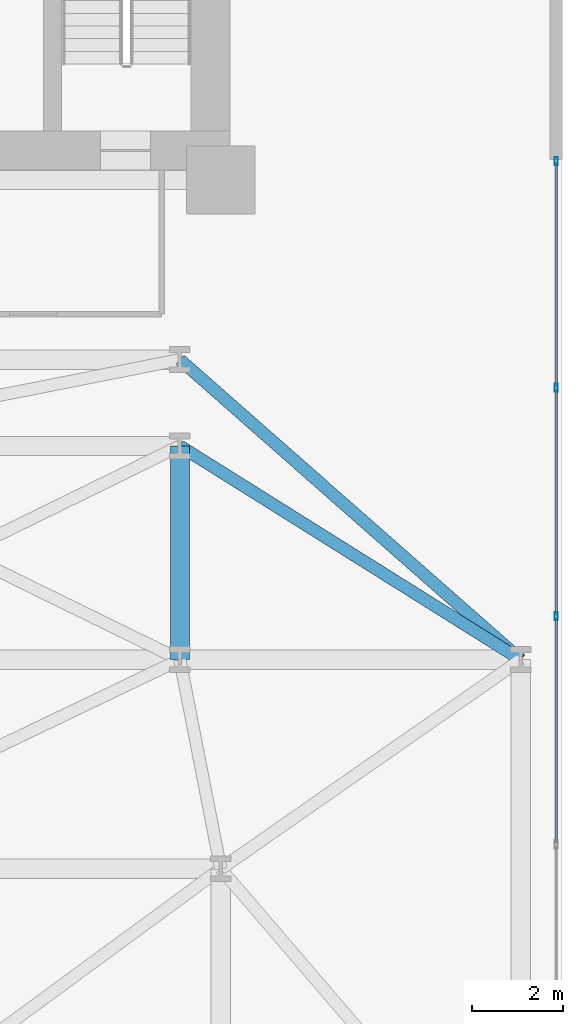
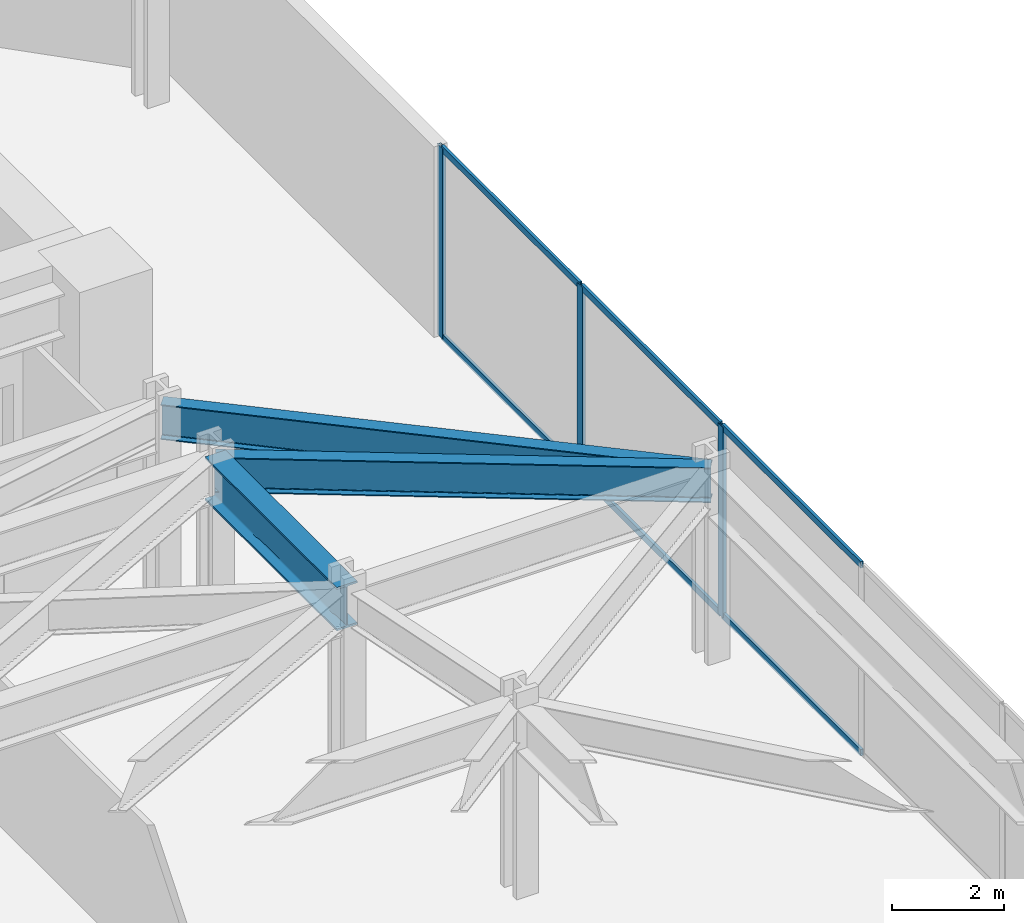
# One storey, part 24 of 30: 9 members, 3 beams, 1 element without a shape of its own.
"""IFC4 building model written with IfcOpenShell, lengths in metres."""

from ifc_helpers import new_model, si_unit, direction, frame, origin, origin_2d, place, context, subcontext, project, spatial, hollow_rectangle, i_section, extrude, material, layer, layer_set, material_profile, profile_set, type_object, element, aggregate, save


model = new_model("IFC4")

# Units and contexts
model_context = context("Model", 3, precision=1e-05, world=origin(), true_north=direction((0.0, 1.0)))
body_context = subcontext(model_context, "Body", "Model", "MODEL_VIEW")
ifc_project = project(units=[si_unit("LENGTHUNIT", "METRE"), si_unit("AREAUNIT", "SQUARE_METRE"), si_unit("VOLUMEUNIT", "CUBIC_METRE"), si_unit("PLANEANGLEUNIT", "RADIAN"), si_unit("MASSUNIT", "GRAM", prefix="KILO")], contexts=[model_context])

# Site, building, storey
site_placement = place(None, origin())
site = spatial("IfcSite", under=ifc_project, at=site_placement, CompositionType="ELEMENT")
building_placement = place(site_placement, origin())
building = spatial("IfcBuilding", under=site, at=building_placement, Name="Kravanh Interchange Tower", CompositionType="ELEMENT")
storey_placement = place(building_placement, frame((0.0, 0.0, 19.800048828125)))
storey = spatial("IfcBuildingStorey", under=building, at=storey_placement, Name="L04", CompositionType="ELEMENT", Elevation=19.800048828125)

# Curtain wall, members
ifc_material_1 = material(Name="Anodised Bronze Aluminium", Category="aluminium")
ifc_layer = layer(ifc_material_1, 0.179931640625)
ifc_layer_set = layer_set([ifc_layer], Name="Unitised Curtain Wall System CW-POD Podium Concourse")
curtain_wall_type = type_object("IfcCurtainWallType", Name="Unitised Curtain Wall System CW-POD Podium Concourse", PredefinedType="NOTDEFINED", material=ifc_layer_set)
curtain_wall_placement = place(storey_placement, origin())
curtain_wall = element("IfcCurtainWall", 1, at=curtain_wall_placement, inside=storey, type_object=curtain_wall_type, Name="L04 Unitised Curtain Wall CW-L04-02", PredefinedType="NOTDEFINED")
ifc_material_2 = material(Name="Anodised Bronze Aluminium", Category="aluminium")
ifc_material_profile_1 = material_profile(ifc_material_2, hollow_rectangle(XDim=0.070068359375, YDim=0.179931640625, WallThickness=0.00390625, at=origin_2d()), Name="ALU70X180X4")
ifc_profile_set_1 = profile_set([ifc_material_profile_1], Name="Anodised Bronze Aluminium")
member_type_1 = type_object("IfcMemberType", Name="Curtain Wall Mullion ALU70X180X4 Bronze", PredefinedType="MULLION", material=ifc_profile_set_1)
member_1_placement = place(storey_placement, frame((73.8798828125, 37.764892578125, 0.0), z_axis=(0.0, 0.0, 1.0), x_axis=(1.0, 0.0, 0.0)))
member_1 = element("IfcMember", 2, at=member_1_placement, type_object=member_type_1, Name="CW-POD mullion 1", PredefinedType="MULLION", context=body_context, shape_type="SweptSolid", body=[
    extrude(hollow_rectangle(XDim=0.070068359375, YDim=0.179931640625, WallThickness=0.00390625, at=origin_2d()), origin(), (0.0, 0.0, 1.0), 4.14990234375),
])
member_2_placement = place(storey_placement, frame((73.8798828125, 32.778564453125, 0.0), z_axis=(0.0, 0.0, 1.0), x_axis=(1.0, 0.0, 0.0)))
member_2 = element("IfcMember", 3, at=member_2_placement, type_object=member_type_1, Name="CW-POD mullion 2", PredefinedType="MULLION", context=body_context, shape_type="SweptSolid", body=[
    extrude(hollow_rectangle(XDim=0.070068359375, YDim=0.179931640625, WallThickness=0.00390625, at=origin_2d()), origin(), (0.0, 0.0, 1.0), 4.14990234375),
])
member_3_placement = place(storey_placement, frame((73.8798828125, 27.757080078125, 0.0), z_axis=(0.0, 0.0, 1.0), x_axis=(1.0, 0.0, 0.0)))
member_3 = element("IfcMember", 4, at=member_3_placement, type_object=member_type_1, Name="CW-POD mullion 3", PredefinedType="MULLION", context=body_context, shape_type="SweptSolid", body=[
    extrude(hollow_rectangle(XDim=0.070068359375, YDim=0.179931640625, WallThickness=0.00390625, at=origin_2d()), origin(), (0.0, 0.0, 1.0), 4.14990234375),
])
ifc_material_3 = material(Name="Anodised Bronze Aluminium", Category="aluminium")
ifc_material_profile_2 = material_profile(ifc_material_3, hollow_rectangle(XDim=0.06005859375, YDim=0.139892578125, WallThickness=0.00390625, at=origin_2d()), Name="ALU60X140X4")
ifc_profile_set_2 = profile_set([ifc_material_profile_2], Name="Anodised Bronze Aluminium")
member_type_2 = type_object("IfcMemberType", Name="Curtain Wall Transom ALU60X140X4 Bronze", PredefinedType="USERDEFINED", material=ifc_profile_set_2)
member_4_placement = place(storey_placement, frame((73.8798828125, 37.72998046875, 0.030029296875), z_axis=(0.0, -1.0, 0.0), x_axis=(1.0, 0.0, 0.0)))
member_4 = element("IfcMember", 5, at=member_4_placement, type_object=member_type_2, Name="CW-POD transom 1.1", ObjectType="TRANSOM", PredefinedType="USERDEFINED", context=body_context, shape_type="SweptSolid", body=[
    extrude(hollow_rectangle(XDim=0.06005859375, YDim=0.139892578125, WallThickness=0.00390625, at=origin_2d()), origin(), (0.0, 0.0, 1.0), 4.91650390625),
])
member_5_placement = place(storey_placement, frame((73.8798828125, 37.72998046875, 4.119873046875), z_axis=(0.0, -1.0, 0.0), x_axis=(1.0, 0.0, 0.0)))
member_5 = element("IfcMember", 6, at=member_5_placement, type_object=member_type_2, Name="CW-POD transom 1.2", ObjectType="TRANSOM", PredefinedType="USERDEFINED", context=body_context, shape_type="SweptSolid", body=[
    extrude(hollow_rectangle(XDim=0.06005859375, YDim=0.139892578125, WallThickness=0.00390625, at=origin_2d()), origin(), (0.0, 0.0, 1.0), 4.91650390625),
])
member_6_placement = place(storey_placement, frame((73.8798828125, 32.743408203125, 0.030029296875), z_axis=(0.0, -1.0, 0.0), x_axis=(1.0, 0.0, 0.0)))
member_6 = element("IfcMember", 7, at=member_6_placement, type_object=member_type_2, Name="CW-POD transom 2.1", ObjectType="TRANSOM", PredefinedType="USERDEFINED", context=body_context, shape_type="SweptSolid", body=[
    extrude(hollow_rectangle(XDim=0.06005859375, YDim=0.139892578125, WallThickness=0.00390625, at=origin_2d()), origin(), (0.0, 0.0, 1.0), 4.951416015625),
])
member_7_placement = place(storey_placement, frame((73.8798828125, 32.743408203125, 4.119873046875), z_axis=(0.0, -1.0, 0.0), x_axis=(1.0, 0.0, 0.0)))
member_7 = element("IfcMember", 8, at=member_7_placement, type_object=member_type_2, Name="CW-POD transom 2.2", ObjectType="TRANSOM", PredefinedType="USERDEFINED", context=body_context, shape_type="SweptSolid", body=[
    extrude(hollow_rectangle(XDim=0.06005859375, YDim=0.139892578125, WallThickness=0.00390625, at=origin_2d()), origin(), (0.0, 0.0, 1.0), 4.951416015625),
])
member_8_placement = place(storey_placement, frame((73.8798828125, 27.72216796875, 0.030029296875), z_axis=(0.0, -1.0, 0.0), x_axis=(1.0, 0.0, 0.0)))
member_8 = element("IfcMember", 9, at=member_8_placement, type_object=member_type_2, Name="CW-POD transom 3.1", ObjectType="TRANSOM", PredefinedType="USERDEFINED", context=body_context, shape_type="SweptSolid", body=[
    extrude(hollow_rectangle(XDim=0.06005859375, YDim=0.139892578125, WallThickness=0.00390625, at=origin_2d()), origin(), (0.0, 0.0, 1.0), 4.95166015625),
])
member_9_placement = place(storey_placement, frame((73.8798828125, 27.72216796875, 4.119873046875), z_axis=(0.0, -1.0, 0.0), x_axis=(1.0, 0.0, 0.0)))
member_9 = element("IfcMember", 10, at=member_9_placement, type_object=member_type_2, Name="CW-POD transom 3.2", ObjectType="TRANSOM", PredefinedType="USERDEFINED", context=body_context, shape_type="SweptSolid", body=[
    extrude(hollow_rectangle(XDim=0.06005859375, YDim=0.139892578125, WallThickness=0.00390625, at=origin_2d()), origin(), (0.0, 0.0, 1.0), 4.95166015625),
])
aggregate(curtain_wall, [member_1, member_2, member_3, member_4, member_5, member_6, member_7, member_8, member_9])

# Beams
ifc_material_4 = material(Name="Structural Steel S450", Category="steel")
ifc_material_profile_3 = material_profile(ifc_material_4, i_section(OverallWidth=0.423095703125, OverallDepth=0.947998046875, WebThickness=0.02392578125, FlangeThickness=0.042724609375, FilletRadius=0.028076171875, at=origin_2d()), Name="W36X302")
ifc_profile_set_3 = profile_set([ifc_material_profile_3], Name="Structural Steel S450")
beam_type_1 = type_object("IfcBeamType", Name="Floor Beam W36X302 Structural Steel S450", PredefinedType="BEAM", material=ifc_profile_set_3)
beam_1_placement = place(storey_placement, frame((65.60009765625, 26.800048828125, 3.676025390625), z_axis=(0.0, 1.0, 0.0), x_axis=(-1.0, 0.0, 0.0)))
element("IfcBeam", 11, at=beam_1_placement, inside=storey, type_object=beam_type_1, Name="L04 Primary Floor Girder 101", PredefinedType="BEAM", context=body_context, shape_type="SweptSolid", body=[
    extrude(i_section(OverallWidth=0.423095703125, OverallDepth=0.947998046875, WebThickness=0.02392578125, FlangeThickness=0.042724609375, FilletRadius=0.028076171875, at=origin_2d()), origin(), (0.0, 0.0, 1.0), 4.699951171875),
])
ifc_material_5 = material(Name="Structural Steel S355", Category="steel")
ifc_material_profile_4 = material_profile(ifc_material_5, i_section(OverallWidth=0.26708984375, OverallDepth=0.761962890625, WebThickness=0.014404296875, FlangeThickness=0.021484375, FilletRadius=0.02490234375, at=origin_2d()), Name="W30X116")
ifc_profile_set_4 = profile_set([ifc_material_profile_4], Name="Structural Steel S355")
beam_type_2 = type_object("IfcBeamType", Name="Floor Spandrel W30X116 Structural Steel S355", PredefinedType="SPANDREL", material=ifc_profile_set_4)
beam_2_placement = place(storey_placement, frame((65.60009765625, 31.5, 3.76904296875), z_axis=(0.847365449363, -0.531010164899, 0.0), x_axis=(0.531010164899, 0.847365449363, 0.0)))
element("IfcBeam", 12, at=beam_2_placement, inside=storey, type_object=beam_type_2, Name="L04 Perimeter Spandrel 121", PredefinedType="SPANDREL", context=body_context, shape_type="SweptSolid", body=[
    extrude(i_section(OverallWidth=0.26708984375, OverallDepth=0.761962890625, WebThickness=0.014404296875, FlangeThickness=0.021484375, FilletRadius=0.02490234375, at=origin_2d()), origin(), (0.0, 0.0, 1.0), 8.85107421875),
])
beam_3_placement = place(storey_placement, frame((73.10009765625, 26.800048828125, 3.76904296875), z_axis=(-0.750720788639, 0.660619631487, 0.0), x_axis=(-0.660619631487, -0.750720788639, 0.0)))
element("IfcBeam", 13, at=beam_3_placement, inside=storey, type_object=beam_type_2, Name="L04 Perimeter Spandrel 129", PredefinedType="SPANDREL", context=body_context, shape_type="SweptSolid", body=[
    extrude(i_section(OverallWidth=0.26708984375, OverallDepth=0.761962890625, WebThickness=0.014404296875, FlangeThickness=0.021484375, FilletRadius=0.02490234375, at=origin_2d()), origin(), (0.0, 0.0, 1.0), 9.990478515625),
])

save(model, "model.ifc")
